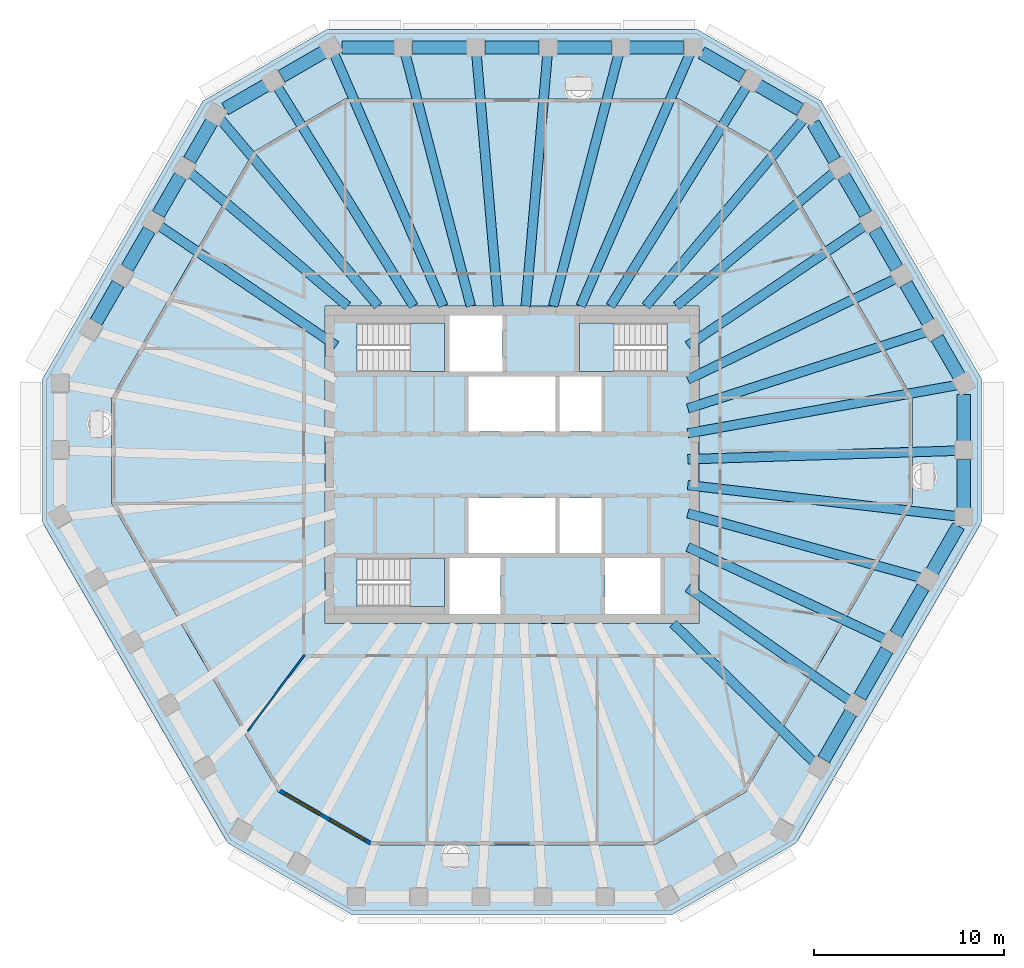
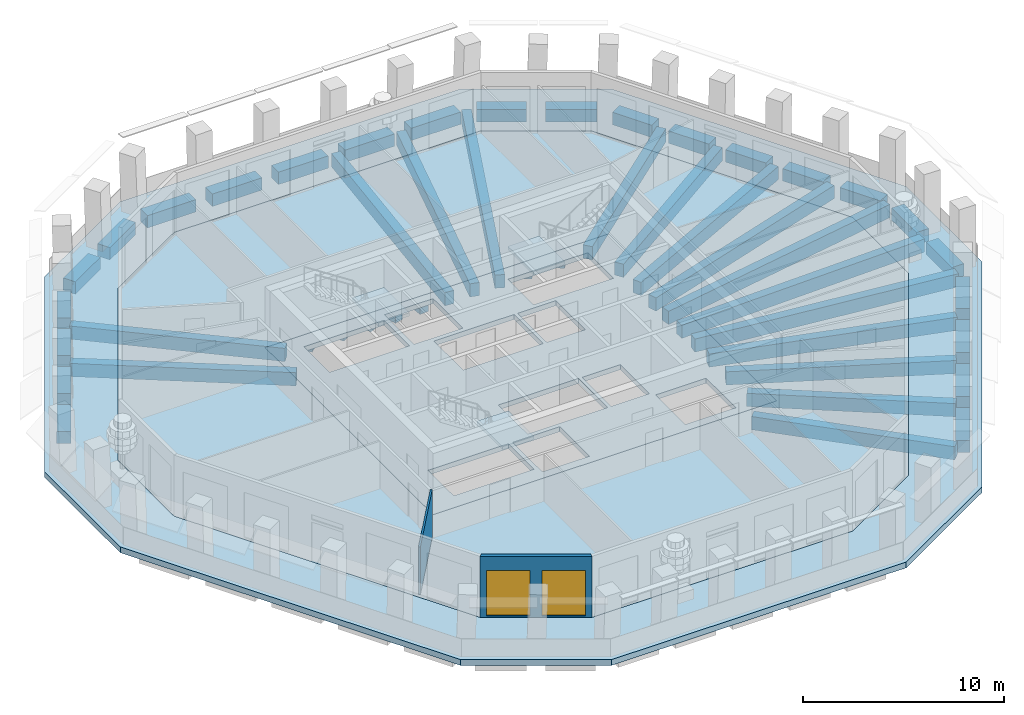
# One storey, part 2 of 11: 47 beams, 6 slabs, 2 walls, 2 windows, 2 openings, 3 elements without a shape of their own.
"""IFC4 building model written with IfcOpenShell, lengths in metres."""

from ifc_helpers import new_model, si_unit, direction, frame, frame_2d, origin, origin_2d, place, context, subcontext, project, spatial, polyline, rectangle, outline, extrude, material, layer, layer_set, material_profile, profile_set, type_object, element, fill, aggregate, save


model = new_model("IFC4")

# Units and contexts
model_context = context("Model", 3, precision=1e-05, world=origin(), true_north=direction((0.0, 1.0)))
body_context = subcontext(model_context, "Body", "Model", "MODEL_VIEW")
ifc_project = project(units=[si_unit("LENGTHUNIT", "METRE"), si_unit("AREAUNIT", "SQUARE_METRE"), si_unit("VOLUMEUNIT", "CUBIC_METRE"), si_unit("PLANEANGLEUNIT", "RADIAN"), si_unit("MASSUNIT", "GRAM", prefix="KILO")], contexts=[model_context])

# Site, building, storey
site_placement = place(None, origin())
site = spatial("IfcSite", under=ifc_project, at=site_placement, CompositionType="ELEMENT")
building_placement = place(site_placement, origin())
building = spatial("IfcBuilding", under=site, at=building_placement, Name="Frailejon Research Tower", CompositionType="ELEMENT")
storey_placement = place(building_placement, frame((0.0, 0.0, 287.0)))
storey = spatial("IfcBuildingStorey", under=building, at=storey_placement, Name="L63", CompositionType="ELEMENT", Elevation=287.0)

# Beams
ifc_material_1 = material(Name="Concrete C60/75", Category="concrete")
ifc_material_profile_1 = material_profile(ifc_material_1, rectangle(XDim=0.5, YDim=0.800048828125, at=origin_2d()), Name="Girder 500x800")
ifc_profile_set_1 = profile_set([ifc_material_profile_1], Name="Concrete C60/75")
beam_type_1 = type_object("IfcBeamType", Name="Girder 500x800", PredefinedType="BEAM", material=ifc_profile_set_1)
beam_1_placement = place(storey_placement, frame((23.433349609375, -2.7099609375, -0.699951171875), z_axis=(-0.993378271612, 0.114889553438, 0.0), x_axis=(-0.114889553438, -0.993378271612, 0.0)))
element("IfcBeam", 1, at=beam_1_placement, inside=storey, type_object=beam_type_1, Name="Girder 500x800", PredefinedType="BEAM", context=body_context, shape_type="SweptSolid", body=[
    extrude(rectangle(XDim=0.5, YDim=0.800048828125, at=origin_2d()), origin(), (0.0, 0.0, 1.0), 14.27783203125),
])
beam_2_placement = place(storey_placement, frame((23.43408203125, 0.743896484375, -0.699951171875), z_axis=(-0.99949668312, -0.031723499667, 0.0), x_axis=(0.031723499667, -0.99949668312, 0.0)))
element("IfcBeam", 2, at=beam_2_placement, inside=storey, type_object=beam_type_1, Name="Girder 500x800", PredefinedType="BEAM", context=body_context, shape_type="SweptSolid", body=[
    extrude(rectangle(XDim=0.5, YDim=0.800048828125, at=origin_2d()), origin(), (0.0, 0.0, 1.0), 14.191162109375),
])
beam_3_placement = place(storey_placement, frame((23.409912109375, 4.193603515625, -0.699951171875), z_axis=(-0.984330400574, -0.176333951654, 0.0), x_axis=(0.176333951654, -0.984330400574, 0.0)))
element("IfcBeam", 3, at=beam_3_placement, inside=storey, type_object=beam_type_1, Name="Girder 500x800", PredefinedType="BEAM", context=body_context, shape_type="SweptSolid", body=[
    extrude(rectangle(XDim=0.5, YDim=0.800048828125, at=origin_2d()), origin(), (0.0, 0.0, 1.0), 14.38525390625),
])
beam_4_placement = place(storey_placement, frame((21.800537109375, 6.991943359375, -0.699951171875), z_axis=(-0.952226293562, -0.30539332974, 0.0), x_axis=(0.30539332974, -0.952226293562, 0.0)))
element("IfcBeam", 4, at=beam_4_placement, inside=storey, type_object=beam_type_1, Name="Girder 500x800", PredefinedType="BEAM", context=body_context, shape_type="SweptSolid", body=[
    extrude(rectangle(XDim=0.5, YDim=0.800048828125, at=origin_2d()), origin(), (0.0, 0.0, 1.0), 13.18017578125),
])
beam_5_placement = place(storey_placement, frame((20.188232421875, 9.79052734375, -0.699951171875), z_axis=(-0.899772055944, -0.436360226582, 0.0), x_axis=(0.436360226582, -0.899772055944, 0.0)))
element("IfcBeam", 5, at=beam_5_placement, inside=storey, type_object=beam_type_1, Name="Girder 500x800", PredefinedType="BEAM", context=body_context, shape_type="SweptSolid", body=[
    extrude(rectangle(XDim=0.5, YDim=0.800048828125, at=origin_2d()), origin(), (0.0, 0.0, 1.0), 12.15673828125),
])
beam_6_placement = place(storey_placement, frame((18.572998046875, 12.58837890625, -0.699951171875), z_axis=(-0.827773851641, -0.561061895462, 0.0), x_axis=(0.561061895462, -0.827773851641, 0.0)))
element("IfcBeam", 6, at=beam_6_placement, inside=storey, type_object=beam_type_1, Name="Girder 500x800", PredefinedType="BEAM", context=body_context, shape_type="SweptSolid", body=[
    extrude(rectangle(XDim=0.5, YDim=0.800048828125, at=origin_2d()), origin(), (0.0, 0.0, 1.0), 11.2626953125),
])
beam_7_placement = place(storey_placement, frame((16.95068359375, 15.394287109375, -0.699951171875), z_axis=(-0.762459182098, -0.647036317091, 0.0), x_axis=(0.647036317091, -0.762459182098, 0.0)))
element("IfcBeam", 7, at=beam_7_placement, inside=storey, type_object=beam_type_1, Name="Girder 500x800", PredefinedType="BEAM", context=body_context, shape_type="SweptSolid", body=[
    extrude(rectangle(XDim=0.5, YDim=0.800048828125, at=origin_2d()), origin(), (0.0, 0.0, 1.0), 10.886962890625),
])
beam_8_placement = place(storey_placement, frame((15.35107421875, 18.19384765625, -0.699951171875), z_axis=(-0.64487093921, -0.764291483508, 0.0), x_axis=(0.764291483508, -0.64487093921, 0.0)))
element("IfcBeam", 8, at=beam_8_placement, inside=storey, type_object=beam_type_1, Name="Girder 500x800", PredefinedType="BEAM", context=body_context, shape_type="SweptSolid", body=[
    extrude(rectangle(XDim=0.5, YDim=0.800048828125, at=origin_2d()), origin(), (0.0, 0.0, 1.0), 12.879638671875),
])
beam_9_placement = place(storey_placement, frame((12.361328125, 19.922607421875, -0.699951171875), z_axis=(-0.527229431534, -0.849722970458, 0.0), x_axis=(0.849722970458, -0.527229431534, 0.0)))
element("IfcBeam", 9, at=beam_9_placement, inside=storey, type_object=beam_type_1, Name="Girder 500x800", PredefinedType="BEAM", context=body_context, shape_type="SweptSolid", body=[
    extrude(rectangle(XDim=0.5, YDim=0.800048828125, at=origin_2d()), origin(), (0.0, 0.0, 1.0), 13.619140625),
])
beam_10_placement = place(storey_placement, frame((9.35400390625, 21.61279296875, -0.699951171875), z_axis=(-0.397189240176, -0.917736731034, 0.0), x_axis=(0.917736731034, -0.397189240176, 0.0)))
element("IfcBeam", 10, at=beam_10_placement, inside=storey, type_object=beam_type_1, Name="Girder 500x800", PredefinedType="BEAM", context=body_context, shape_type="SweptSolid", body=[
    extrude(rectangle(XDim=0.5, YDim=0.800048828125, at=origin_2d()), origin(), (0.0, 0.0, 1.0), 14.451416015625),
])
beam_11_placement = place(storey_placement, frame((5.614501953125, 21.6201171875, -0.699951171875), z_axis=(-0.251366300623, -0.967892030606, 0.0), x_axis=(0.967892030606, -0.251366300623, 0.0)))
element("IfcBeam", 11, at=beam_11_placement, inside=storey, type_object=beam_type_1, Name="Girder 500x800", PredefinedType="BEAM", context=body_context, shape_type="SweptSolid", body=[
    extrude(rectangle(XDim=0.5, YDim=0.800048828125, at=origin_2d()), origin(), (0.0, 0.0, 1.0), 13.710205078125),
])
for number, where, z_axis, x_axis, name in (
    (12, (1.871826171875, 21.62451171875, -0.699951171875), (-0.086229521681, -0.996275298093, 0.0), (0.996275298093, -0.086229521681, 0.0), "Girder 500x800"),
    (13, (-1.871826171875, 21.62451171875, -0.699951171875), (0.086229521681, -0.996275298093, 0.0), (0.996275298093, 0.086229521681, 0.0), "Girder 500x800"),
):
    element("IfcBeam", number, at=place(storey_placement, frame(where, z_axis=z_axis, x_axis=x_axis)), inside=storey, type_object=beam_type_1, Name=name, PredefinedType="BEAM", context=body_context, shape_type="SweptSolid", body=[
        extrude(rectangle(XDim=0.5, YDim=0.800048828125, at=origin_2d()), origin(), (0.0, 0.0, 1.0), 13.323974609375),
    ])
beam_12_placement = place(storey_placement, frame((-5.614501953125, 21.6201171875, -0.699951171875), z_axis=(0.251366300623, -0.967892030606, 0.0), x_axis=(0.967892030606, 0.251366300623, 0.0)))
element("IfcBeam", 14, at=beam_12_placement, inside=storey, type_object=beam_type_1, Name="Girder 500x800", PredefinedType="BEAM", context=body_context, shape_type="SweptSolid", body=[
    extrude(rectangle(XDim=0.5, YDim=0.800048828125, at=origin_2d()), origin(), (0.0, 0.0, 1.0), 13.710205078125),
])
beam_13_placement = place(storey_placement, frame((-9.36962890625, 21.648681640625, -0.699951171875), z_axis=(0.397194626137, -0.917734400013, 0.0), x_axis=(0.917734400013, 0.397194626137, 0.0)))
element("IfcBeam", 15, at=beam_13_placement, inside=storey, type_object=beam_type_1, Name="Girder 500x800", PredefinedType="BEAM", context=body_context, shape_type="SweptSolid", body=[
    extrude(rectangle(XDim=0.5, YDim=0.800048828125, at=origin_2d()), origin(), (0.0, 0.0, 1.0), 14.49072265625),
])
beam_14_placement = place(storey_placement, frame((-12.361328125, 19.922607421875, -0.699951171875), z_axis=(0.527229431534, -0.849722970458, 0.0), x_axis=(0.849722970458, 0.527229431534, 0.0)))
element("IfcBeam", 16, at=beam_14_placement, inside=storey, type_object=beam_type_1, Name="Girder 500x800", PredefinedType="BEAM", context=body_context, shape_type="SweptSolid", body=[
    extrude(rectangle(XDim=0.5, YDim=0.800048828125, at=origin_2d()), origin(), (0.0, 0.0, 1.0), 13.619140625),
])
beam_15_placement = place(storey_placement, frame((-15.336669921875, 18.1767578125, -0.699951171875), z_axis=(0.644871632461, -0.764290898577, 0.0), x_axis=(0.764290898577, 0.644871632461, 0.0)))
element("IfcBeam", 17, at=beam_15_placement, inside=storey, type_object=beam_type_1, Name="Girder 500x800", PredefinedType="BEAM", context=body_context, shape_type="SweptSolid", body=[
    extrude(rectangle(XDim=0.5, YDim=0.800048828125, at=origin_2d()), origin(), (0.0, 0.0, 1.0), 12.857177734375),
])
beam_16_placement = place(storey_placement, frame((-16.95068359375, 15.394287109375, -0.699951171875), z_axis=(0.762459182098, -0.647036317091, 0.0), x_axis=(0.647036317091, 0.762459182098, 0.0)))
element("IfcBeam", 18, at=beam_16_placement, inside=storey, type_object=beam_type_1, Name="Girder 500x800", PredefinedType="BEAM", context=body_context, shape_type="SweptSolid", body=[
    extrude(rectangle(XDim=0.5, YDim=0.800048828125, at=origin_2d()), origin(), (0.0, 0.0, 1.0), 10.886962890625),
])
beam_17_placement = place(storey_placement, frame((-18.572998046875, 12.58837890625, -0.699951171875), z_axis=(0.827773851641, -0.561061895462, 0.0), x_axis=(0.561061895462, 0.827773851641, 0.0)))
element("IfcBeam", 19, at=beam_17_placement, inside=storey, type_object=beam_type_1, Name="Girder 500x800", PredefinedType="BEAM", context=body_context, shape_type="SweptSolid", body=[
    extrude(rectangle(XDim=0.5, YDim=0.800048828125, at=origin_2d()), origin(), (0.0, 0.0, 1.0), 11.2626953125),
])
beam_18_placement = place(storey_placement, frame((15.91650390625, -15.67236328125, -0.699951171875), z_axis=(-0.71255962234, 0.701611562483, 0.0), x_axis=(-0.701611562483, -0.71255962234, 0.0)))
element("IfcBeam", 20, at=beam_18_placement, inside=storey, type_object=beam_type_1, Name="Girder 500x800", PredefinedType="BEAM", context=body_context, shape_type="SweptSolid", body=[
    extrude(rectangle(XDim=0.5, YDim=0.800048828125, at=origin_2d()), origin(), (0.0, 0.0, 1.0), 10.436279296875),
])
beam_19_placement = place(storey_placement, frame((17.79150390625, -12.433349609375, -0.699951171875), z_axis=(-0.819674147619, 0.572830072294, 0.0), x_axis=(-0.572830072294, -0.819674147619, 0.0)))
element("IfcBeam", 21, at=beam_19_placement, inside=storey, type_object=beam_type_1, Name="Girder 500x800", PredefinedType="BEAM", context=body_context, shape_type="SweptSolid", body=[
    extrude(rectangle(XDim=0.5, YDim=0.800048828125, at=origin_2d()), origin(), (0.0, 0.0, 1.0), 10.420654296875),
])
beam_20_placement = place(storey_placement, frame((19.663330078125, -9.191162109375, -0.699951171875), z_axis=(-0.905920341941, 0.423448148015, 0.0), x_axis=(-0.423448148015, -0.905920341941, 0.0)))
element("IfcBeam", 22, at=beam_20_placement, inside=storey, type_object=beam_type_1, Name="Girder 500x800", PredefinedType="BEAM", context=body_context, shape_type="SweptSolid", body=[
    extrude(rectangle(XDim=0.5, YDim=0.800048828125, at=origin_2d()), origin(), (0.0, 0.0, 1.0), 11.494873046875),
])
beam_21_placement = place(storey_placement, frame((21.53076171875, -5.947998046875, -0.699951171875), z_axis=(-0.963896341877, 0.266277753702, 0.0), x_axis=(-0.266277753702, -0.963896341877, 0.0)))
element("IfcBeam", 23, at=beam_21_placement, inside=storey, type_object=beam_type_1, Name="Girder 500x800", PredefinedType="BEAM", context=body_context, shape_type="SweptSolid", body=[
    extrude(rectangle(XDim=0.5, YDim=0.800048828125, at=origin_2d()), origin(), (0.0, 0.0, 1.0), 12.74072265625),
])
ifc_material_2 = material(Name="Concrete C60/75", Category="concrete")
ifc_material_profile_2 = material_profile(ifc_material_2, rectangle(XDim=0.699951171875, YDim=0.75, at=origin_2d()), Name="Spandrel 700x750")
ifc_profile_set_2 = profile_set([ifc_material_profile_2], Name="Concrete C60/75")
beam_type_2 = type_object("IfcBeamType", Name="Spandrel 700x750", PredefinedType="BEAM", material=ifc_profile_set_2)
beam_22_placement = place(storey_placement, frame((23.75927734375, -2.272705078125, -0.72509765625), z_axis=(0.0, 1.0, 0.0), x_axis=(-1.0, 0.0, 0.0)))
element("IfcBeam", 24, at=beam_22_placement, inside=storey, type_object=beam_type_2, Name="Spandrel 700x750", PredefinedType="BEAM", context=body_context, shape_type="SweptSolid", body=[
    extrude(rectangle(XDim=0.699951171875, YDim=0.75, at=origin_2d()), origin(), (0.0, 0.0, 1.0), 2.552001953125),
])
beam_23_placement = place(storey_placement, frame((23.75927734375, 1.229248046875, -0.72509765625), z_axis=(0.0, 1.0, 0.0), x_axis=(-1.0, 0.0, 0.0)))
element("IfcBeam", 25, at=beam_23_placement, inside=storey, type_object=beam_type_2, Name="Spandrel 700x750", PredefinedType="BEAM", context=body_context, shape_type="SweptSolid", body=[
    extrude(rectangle(XDim=0.699951171875, YDim=0.75, at=origin_2d()), origin(), (0.0, 0.0, 1.0), 2.478515625),
])
for number, where, z_axis, x_axis, name in (
    (26, (23.521728515625, 4.66748046875, -0.72509765625), (-0.500031167255, 0.866007408613, 0.0), (-0.866007408613, -0.500031167255, 0.0), "Spandrel 700x750"),
    (27, (21.883056640625, 7.506103515625, -0.72509765625), (-0.500076593149, 0.865981178193, 0.0), (-0.865981178193, -0.500076593149, 0.0), "Spandrel 700x750"),
    (28, (20.244384765625, 10.34423828125, -0.72509765625), (-0.500031167255, 0.866007408613, 0.0), (-0.866007408613, -0.500031167255, 0.0), "Spandrel 700x750"),
    (29, (18.605712890625, 13.1826171875, -0.72509765625), (-0.500031167255, 0.866007408613, 0.0), (-0.866007408613, -0.500031167255, 0.0), "Spandrel 700x750"),
):
    element("IfcBeam", number, at=place(storey_placement, frame(where, z_axis=z_axis, x_axis=x_axis)), inside=storey, type_object=beam_type_2, Name=name, PredefinedType="BEAM", context=body_context, shape_type="SweptSolid", body=[
        extrude(rectangle(XDim=0.699951171875, YDim=0.75, at=origin_2d()), origin(), (0.0, 0.0, 1.0), 2.327392578125),
    ])
beam_24_placement = place(storey_placement, frame((16.966796875, 16.02099609375, -0.72509765625), z_axis=(-0.500006872736, 0.866021435772, 0.0), x_axis=(-0.866021435772, -0.500006872736, 0.0)))
element("IfcBeam", 30, at=beam_24_placement, inside=storey, type_object=beam_type_2, Name="Spandrel 700x750", PredefinedType="BEAM", context=body_context, shape_type="SweptSolid", body=[
    extrude(rectangle(XDim=0.699951171875, YDim=0.75, at=origin_2d()), origin(), (0.0, 0.0, 1.0), 2.25390625),
])
beam_25_placement = place(storey_placement, frame((15.154296875, 18.685546875, -0.72509765625), z_axis=(-0.86605655258, 0.499946044823, 0.0), x_axis=(-0.499946044823, -0.86605655258, 0.0)))
element("IfcBeam", 31, at=beam_25_placement, inside=storey, type_object=beam_type_2, Name="Spandrel 700x750", PredefinedType="BEAM", context=body_context, shape_type="SweptSolid", body=[
    extrude(rectangle(XDim=0.699951171875, YDim=0.75, at=origin_2d()), origin(), (0.0, 0.0, 1.0), 2.552001953125),
])
beam_26_placement = place(storey_placement, frame((12.121337890625, 20.4365234375, -0.72509765625), z_axis=(-0.866003486907, 0.500037959224, 0.0), x_axis=(-0.500037959224, -0.866003486907, 0.0)))
element("IfcBeam", 32, at=beam_26_placement, inside=storey, type_object=beam_type_2, Name="Spandrel 700x750", PredefinedType="BEAM", context=body_context, shape_type="SweptSolid", body=[
    extrude(rectangle(XDim=0.699951171875, YDim=0.75, at=origin_2d()), origin(), (0.0, 0.0, 1.0), 2.478271484375),
])
beam_27_placement = place(storey_placement, frame((9.02490234375, 21.949951171875, -0.72509765625), z_axis=(-1.0, 0.0, 0.0), x_axis=(0.0, -1.0, 0.0)))
element("IfcBeam", 33, at=beam_27_placement, inside=storey, type_object=beam_type_2, Name="Spandrel 700x750", PredefinedType="BEAM", context=body_context, shape_type="SweptSolid", body=[
    extrude(rectangle(XDim=0.699951171875, YDim=0.75, at=origin_2d()), origin(), (0.0, 0.0, 1.0), 2.849853515625),
])
for number, where, z_axis, x_axis, name in (
    (34, (5.22509765625, 21.949951171875, -0.72509765625), (-1.0, 0.0, 0.0), (0.0, -1.0, 0.0), "Spandrel 700x750"),
    (35, (1.425048828125, 21.949951171875, -0.72509765625), (-1.0, 0.0, 0.0), (0.0, -1.0, 0.0), "Spandrel 700x750"),
    (36, (-2.375, 21.949951171875, -0.72509765625), (-1.0, 0.0, 0.0), (0.0, -1.0, 0.0), "Spandrel 700x750"),
):
    element("IfcBeam", number, at=place(storey_placement, frame(where, z_axis=z_axis, x_axis=x_axis)), inside=storey, type_object=beam_type_2, Name=name, PredefinedType="BEAM", context=body_context, shape_type="SweptSolid", body=[
        extrude(rectangle(XDim=0.699951171875, YDim=0.75, at=origin_2d()), origin(), (0.0, 0.0, 1.0), 2.85009765625),
    ])
beam_28_placement = place(storey_placement, frame((-6.175048828125, 21.949951171875, -0.72509765625), z_axis=(-1.0, 0.0, 0.0), x_axis=(0.0, -1.0, 0.0)))
element("IfcBeam", 37, at=beam_28_placement, inside=storey, type_object=beam_type_2, Name="Spandrel 700x750", PredefinedType="BEAM", context=body_context, shape_type="SweptSolid", body=[
    extrude(rectangle(XDim=0.699951171875, YDim=0.75, at=origin_2d()), origin(), (0.0, 0.0, 1.0), 2.7763671875),
])
beam_29_placement = place(storey_placement, frame((-9.911376953125, 21.71240234375, -0.72509765625), z_axis=(-0.866032638483, -0.499987468925, 0.0), x_axis=(0.499987468925, -0.866032638483, 0.0)))
element("IfcBeam", 38, at=beam_29_placement, inside=storey, type_object=beam_type_2, Name="Spandrel 700x750", PredefinedType="BEAM", context=body_context, shape_type="SweptSolid", body=[
    extrude(rectangle(XDim=0.699951171875, YDim=0.75, at=origin_2d()), origin(), (0.0, 0.0, 1.0), 2.5517578125),
])
beam_30_placement = place(storey_placement, frame((-12.944091796875, 19.96142578125, -0.72509765625), z_axis=(-0.866028115054, -0.499995303914, 0.0), x_axis=(0.499995303914, -0.866028115054, 0.0)))
element("IfcBeam", 39, at=beam_30_placement, inside=storey, type_object=beam_type_2, Name="Spandrel 700x750", PredefinedType="BEAM", context=body_context, shape_type="SweptSolid", body=[
    extrude(rectangle(XDim=0.699951171875, YDim=0.75, at=origin_2d()), origin(), (0.0, 0.0, 1.0), 2.478515625),
])
for number, where, z_axis, x_axis, name in (
    (40, (-15.802978515625, 18.03662109375, -0.72509765625), (-0.500031167255, -0.866007408613, 0.0), (0.866007408613, -0.500031167255, 0.0), "Spandrel 700x750"),
    (41, (-17.44189453125, 15.1982421875, -0.72509765625), (-0.500031167255, -0.866007408613, 0.0), (0.866007408613, -0.500031167255, 0.0), "Spandrel 700x750"),
    (42, (-19.08056640625, 12.35986328125, -0.72509765625), (-0.500031167255, -0.866007408613, 0.0), (0.866007408613, -0.500031167255, 0.0), "Spandrel 700x750"),
    (43, (-20.71923828125, 9.521484375, -0.72509765625), (-0.500076593149, -0.865981178193, 0.0), (0.865981178193, -0.500076593149, 0.0), "Spandrel 700x750"),
):
    element("IfcBeam", number, at=place(storey_placement, frame(where, z_axis=z_axis, x_axis=x_axis)), inside=storey, type_object=beam_type_2, Name=name, PredefinedType="BEAM", context=body_context, shape_type="SweptSolid", body=[
        extrude(rectangle(XDim=0.699951171875, YDim=0.75, at=origin_2d()), origin(), (0.0, 0.0, 1.0), 2.327392578125),
    ])
for number, where, z_axis, x_axis, name in (
    (44, (16.396728515625, -15.5, -0.72509765625), (0.500036373335, 0.866004402611, 0.0), (-0.866004402611, 0.500036373335, 0.0), "Spandrel 700x750"),
    (45, (18.296875, -12.208984375, -0.72509765625), (0.499972122318, 0.866041498374, 0.0), (-0.866041498374, 0.499972122318, 0.0), "Spandrel 700x750"),
):
    element("IfcBeam", number, at=place(storey_placement, frame(where, z_axis=z_axis, x_axis=x_axis)), inside=storey, type_object=beam_type_2, Name=name, PredefinedType="BEAM", context=body_context, shape_type="SweptSolid", body=[
        extrude(rectangle(XDim=0.699951171875, YDim=0.75, at=origin_2d()), origin(), (0.0, 0.0, 1.0), 2.849853515625),
    ])
beam_31_placement = place(storey_placement, frame((20.19677734375, -8.918212890625, -0.72509765625), z_axis=(0.499999279071, 0.866025820012, 0.0), x_axis=(-0.866025820012, 0.499999279071, 0.0)))
element("IfcBeam", 46, at=beam_31_placement, inside=storey, type_object=beam_type_2, Name="Spandrel 700x750", PredefinedType="BEAM", context=body_context, shape_type="SweptSolid", body=[
    extrude(rectangle(XDim=0.699951171875, YDim=0.75, at=origin_2d()), origin(), (0.0, 0.0, 1.0), 2.85009765625),
])
beam_32_placement = place(storey_placement, frame((22.0966796875, -5.627197265625, -0.72509765625), z_axis=(0.500044657716, 0.865999619105, 0.0), x_axis=(-0.865999619105, 0.500044657716, 0.0)))
element("IfcBeam", 47, at=beam_32_placement, inside=storey, type_object=beam_type_2, Name="Spandrel 700x750", PredefinedType="BEAM", context=body_context, shape_type="SweptSolid", body=[
    extrude(rectangle(XDim=0.699951171875, YDim=0.75, at=origin_2d()), origin(), (0.0, 0.0, 1.0), 2.776611328125),
])

# Slabs
ifc_material_3 = material(Name="Concrete C50/60", Category="concrete")
ifc_layer_1 = layer(ifc_material_3, 0.300048828125)
ifc_layer_set_1 = layer_set([ifc_layer_1], Name="Core floor slab 300 C50/60")
slab_type_1 = type_object("IfcSlabType", Name="Core floor slab 300 C50/60", PredefinedType="FLOOR", material=ifc_layer_set_1)
slab_1_placement = place(storey_placement, frame((0.0, 0.0, -0.300048828125)))
element("IfcSlab", 48, at=slab_1_placement, inside=storey, type_object=slab_type_1, Name="Core floor slab", PredefinedType="FLOOR", context=body_context, shape_type="SweptSolid", body=[
    extrude(outline(polyline([(9.85009765625, -8.35009765625), (9.85009765625, 8.35009765625), (-9.85009765625, 8.35009765625), (-9.85009765625, -8.35009765625), (9.85009765625, -8.35009765625)]), holes=[polyline([(2.300048828125, 1.75), (2.300048828125, 4.64990234375), (-2.300048828125, 4.64990234375), (-2.300048828125, 1.75), (2.300048828125, 1.75)]), polyline([(4.699951171875, 1.75), (4.699951171875, 4.64990234375), (2.5, 4.64990234375), (2.5, 1.75), (4.699951171875, 1.75)]), polyline([(2.300048828125, -4.64990234375), (2.300048828125, -1.75), (-2.300048828125, -1.75), (-2.300048828125, -4.64990234375), (2.300048828125, -4.64990234375)]), polyline([(4.699951171875, -4.64990234375), (4.699951171875, -1.75), (2.5, -1.75), (2.5, -4.64990234375), (4.699951171875, -4.64990234375)]), polyline([(-8.14697265625, 4.89990234375), (-3.550048828125, 4.89990234375), (-3.550048828125, 7.449951171875), (-8.14697265625, 7.449951171875), (-8.14697265625, 4.89990234375)]), polyline([(-8.14697265625, -7.449951171875), (-3.550048828125, -7.449951171875), (-3.550048828125, -4.89990234375), (-8.14697265625, -4.89990234375), (-8.14697265625, -7.449951171875)]), polyline([(8.14697265625, 7.449951171875), (3.550048828125, 7.449951171875), (3.550048828125, 4.89990234375), (8.14697265625, 4.89990234375), (8.14697265625, 7.449951171875)]), polyline([(-0.60009765625, -7.85009765625), (-0.60009765625, -4.89990234375), (-3.300048828125, -4.89990234375), (-3.300048828125, -7.85009765625), (-0.60009765625, -7.85009765625)]), polyline([(7.800048828125, -7.85009765625), (7.800048828125, -4.89990234375), (4.89990234375, -4.89990234375), (4.89990234375, -7.85009765625), (7.800048828125, -7.85009765625)]), polyline([(-0.5, 4.89990234375), (-0.5, 7.85009765625), (-3.300048828125, 7.85009765625), (-3.300048828125, 4.89990234375), (-0.5, 4.89990234375)])]), origin(), (0.0, 0.0, 1.0), 0.300048828125),
])
ifc_material_4 = material(Name="Concrete C40/50", Category="concrete")
ifc_layer_2 = layer(ifc_material_4, 0.35009765625)
ifc_layer_set_2 = layer_set([ifc_layer_2], Name="Loggia slab 350")
slab_type_2 = type_object("IfcSlabType", Name="Loggia slab 350", PredefinedType="USERDEFINED", material=ifc_layer_set_2)
slab_2_placement = place(storey_placement, frame((0.0, 0.0, -0.35009765625)))
element("IfcSlab", 49, at=slab_2_placement, inside=storey, type_object=slab_type_2, Name="Loggia slab L63", ObjectType="LOGGIA", PredefinedType="USERDEFINED", context=body_context, shape_type="SweptSolid", body=[
    extrude(outline(polyline([(14.95458984375, -19.897705078125), (8.4482421875, -23.654296875), (-8.4482421875, -23.654296875), (-14.95458984375, -19.897705078125), (-24.709228515625, -3.002197265625), (-24.709228515625, 4.5107421875), (-16.260986328125, 19.1435546875), (-9.754638671875, 22.89990234375), (9.754638671875, 22.89990234375), (16.260986328125, 19.1435546875), (24.709228515625, 4.5107421875), (24.709228515625, -3.002197265625), (14.95458984375, -19.897705078125)]), holes=[polyline([(21.059326171875, 3.53271484375), (13.589111328125, 16.471435546875), (8.776611328125, 19.25), (-8.776611328125, 19.25), (-13.589111328125, 16.471435546875), (-21.059326171875, 3.53271484375), (-21.059326171875, -2.0244140625), (-12.28271484375, -17.2255859375), (-7.47021484375, -20.004150390625), (7.47021484375, -20.004150390625), (12.28271484375, -17.2255859375), (21.059326171875, -2.0244140625), (21.059326171875, 3.53271484375)])]), origin(), (0.0, 0.0, 1.0), 0.35009765625),
])
ifc_material_5 = material(Name="Concrete C40/50", Category="concrete")
ifc_layer_3 = layer(ifc_material_5, 0.300048828125)
ifc_layer_set_3 = layer_set([ifc_layer_3], Name="Slab typical 300")
slab_type_3 = type_object("IfcSlabType", Name="Slab typical 300", PredefinedType="FLOOR", material=ifc_layer_set_3)
slab_3_placement = place(storey_placement, frame((0.0, 0.0, -0.300048828125)))
element("IfcSlab", 50, at=slab_3_placement, inside=storey, type_object=slab_type_3, Name="Floor slab L63", PredefinedType="FLOOR", context=body_context, shape_type="SweptSolid", body=[
    extrude(outline(polyline([(21.059326171875, -2.0244140625), (21.059326171875, 3.53271484375), (13.589111328125, 16.471435546875), (8.776611328125, 19.25), (-8.776611328125, 19.25), (-13.589111328125, 16.471435546875), (-21.059326171875, 3.53271484375), (-21.059326171875, -2.0244140625), (-12.28271484375, -17.2255859375), (-7.47021484375, -20.004150390625), (7.47021484375, -20.004150390625), (12.28271484375, -17.2255859375), (21.059326171875, -2.0244140625)]), holes=[polyline([(9.25, 8.35009765625), (9.85009765625, 8.35009765625), (9.85009765625, -8.35009765625), (9.25, -8.35009765625), (-9.25, -8.35009765625), (-9.85009765625, -8.35009765625), (-9.85009765625, 8.35009765625), (-9.25, 8.35009765625), (9.25, 8.35009765625)])]), origin(), (0.0, 0.0, 1.0), 0.300048828125),
])

# Stair, slab
ifc_material_6 = material(Name="Concrete C50/60", Category="concrete")
stair_type = type_object("IfcStairType", Name="Exit stair 22 risers", PredefinedType="HALF_TURN_STAIR", material=ifc_material_6)
stair_1_placement = place(storey_placement, origin())
stair_1 = element("IfcStair", 51, at=stair_1_placement, inside=storey, type_object=stair_type, Name="L63 Exit stair ST1", PredefinedType="HALF_TURN_STAIR")
ifc_material_7 = material(Name="Concrete C50/60", Category="concrete")
ifc_layer_4 = layer(ifc_material_7, 0.199951171875)
ifc_layer_set_4 = layer_set([ifc_layer_4], Name="Stair landing slab 200")
slab_type_4 = type_object("IfcSlabType", Name="Stair landing slab 200", PredefinedType="LANDING", material=ifc_layer_set_4)
slab_4_placement = place(storey_placement, frame((0.0, 0.0, 1.800048828125)))
slab_4 = element("IfcSlab", 52, at=slab_4_placement, type_object=slab_type_4, Name="ST1 landing 1", PredefinedType="LANDING", context=body_context, shape_type="SweptSolid", body=[
    extrude(outline(polyline([(-5.35009765625, 4.89990234375), (-3.550048828125, 4.89990234375), (-3.550048828125, 7.449951171875), (-5.35009765625, 7.449951171875), (-5.35009765625, 4.89990234375)])), origin(), (0.0, 0.0, 1.0), 0.199951171875),
])
aggregate(stair_1, [slab_4])

stair_2_placement = place(storey_placement, origin())
stair_2 = element("IfcStair", 53, at=stair_2_placement, inside=storey, type_object=stair_type, Name="L63 Exit stair ST2", PredefinedType="HALF_TURN_STAIR")
slab_5_placement = place(storey_placement, frame((0.0, 0.0, 1.800048828125)))
slab_5 = element("IfcSlab", 54, at=slab_5_placement, type_object=slab_type_4, Name="ST2 landing 1", PredefinedType="LANDING", context=body_context, shape_type="SweptSolid", body=[
    extrude(outline(polyline([(-5.35009765625, -7.449951171875), (-3.550048828125, -7.449951171875), (-3.550048828125, -4.89990234375), (-5.35009765625, -4.89990234375), (-5.35009765625, -7.449951171875)])), origin(), (0.0, 0.0, 1.0), 0.199951171875),
])
aggregate(stair_2, [slab_5])

stair_3_placement = place(storey_placement, origin())
stair_3 = element("IfcStair", 55, at=stair_3_placement, inside=storey, type_object=stair_type, Name="L63 Exit stair ST3", PredefinedType="HALF_TURN_STAIR")
slab_6_placement = place(storey_placement, frame((0.0, 0.0, 1.800048828125)))
slab_6 = element("IfcSlab", 56, at=slab_6_placement, type_object=slab_type_4, Name="ST3 landing 1", PredefinedType="LANDING", context=body_context, shape_type="SweptSolid", body=[
    extrude(outline(polyline([(5.35009765625, 7.449951171875), (3.550048828125, 7.449951171875), (3.550048828125, 4.89990234375), (5.35009765625, 4.89990234375), (5.35009765625, 7.449951171875)])), origin(), (0.0, 0.0, 1.0), 0.199951171875),
])
aggregate(stair_3, [slab_6])

# Wall
ifc_material_8 = material(Name="Gypsum board and masonry partition", Category="masonry")
ifc_layer_5 = layer(ifc_material_8, 0.10009765625)
ifc_layer_set_5 = layer_set([ifc_layer_5], Name="Partition, gypsum on steel studs 100")
wall_type_1 = type_object("IfcWallType", Name="Partition, gypsum on steel studs 100", PredefinedType="PARTITIONING", material=ifc_layer_set_5)
wall_1_placement = place(storey_placement, frame((-13.90771484375, -14.010986328125, 0.0), z_axis=(0.0, 0.0, 1.0), x_axis=(0.59833296064, 0.801247569863, 0.0)))
element("IfcWall", 57, at=wall_1_placement, inside=storey, type_object=wall_type_1, Name="T:IW:L63:024", PredefinedType="PARTITIONING", context=body_context, shape_type="SweptSolid", body=[
    extrude(rectangle(XDim=5.018310546875, YDim=0.10009765625, at=frame_2d((2.50927734375, 0.0))), origin(), (0.0, 0.0, 1.0), 2.89990234375),
])

# Wall, openings, windows
ifc_material_9 = material(Name="Concrete C40/50 precast window wall panel", Category="concrete")
ifc_layer_6 = layer(ifc_material_9, 0.199951171875)
ifc_layer_set_6 = layer_set([ifc_layer_6], Name="Window wall 200")
wall_type_2 = type_object("IfcWallType", Name="Window wall 200", PredefinedType="SOLIDWALL", material=ifc_layer_set_6)
wall_2_placement = place(storey_placement, frame((-12.20947265625, -17.152587890625, 0.0), z_axis=(0.0, 0.0, 1.0), x_axis=(0.866026017613, -0.499998936816, 0.0)))
wall_2 = element("IfcWall", 58, at=wall_2_placement, inside=storey, type_object=wall_type_2, Name="Exterior wall L63", PredefinedType="SOLIDWALL", context=body_context, shape_type="SweptSolid", body=[
    extrude(outline(polyline([(-0.02685546875, -0.10009765625), (1.08447265625, -0.10009765625), (2.196044921875, -0.10009765625), (3.307373046875, -0.10009765625), (4.4189453125, -0.10009765625), (5.5302734375, -0.10009765625), (5.4765625, 0.10009765625), (4.38671875, 0.10009765625), (3.296630859375, 0.10009765625), (2.206787109375, 0.10009765625), (1.11669921875, 0.10009765625), (0.02685546875, 0.10009765625), (-0.02685546875, -0.10009765625)])), origin(), (0.0, 0.0, 1.0), 3.699951171875),
])
opening_1_placement = place(wall_2_placement, frame((0.30078125, 0.0, 0.10009765625)))
opening_1 = element("IfcOpeningElement", 59, at=opening_1_placement, cuts=wall_2, Name="Opening W22", PredefinedType="OPENING", context=body_context, shape_type="SweptSolid", body=[
    extrude(rectangle(XDim=2.14990234375, YDim=2.75, at=frame_2d((1.074951171875, 1.375))), frame((0.0, 0.10986328125, 0.0), z_axis=(0.0, -1.0, 0.0), x_axis=(1.0, 0.0, 0.0)), (0.0, 0.0, 1.0), 0.219970703125),
])
opening_2_placement = place(wall_2_placement, frame((3.052490234375, 0.0, 0.10009765625)))
opening_2 = element("IfcOpeningElement", 60, at=opening_2_placement, cuts=wall_2, Name="Opening W22", PredefinedType="OPENING", context=body_context, shape_type="SweptSolid", body=[
    extrude(rectangle(XDim=2.14990234375, YDim=2.75, at=frame_2d((1.074951171875, 1.375))), frame((0.0, 0.10986328125, 0.0), z_axis=(0.0, -1.0, 0.0), x_axis=(1.0, 0.0, 0.0)), (0.0, 0.0, 1.0), 0.219970703125),
])
ifc_material_10 = material(Name="Aluminium framed double glazing", Category="aluminium")
window_type = type_object("IfcWindowType", Name="Window 2150x2750", PartitioningType="SINGLE_PANEL", PredefinedType="WINDOW", material=ifc_material_10)
window_1_placement = place(opening_1_placement, origin())
window_1 = element("IfcWindow", 61, at=window_1_placement, inside=storey, type_object=window_type, Name="Window L63", OverallHeight=2.75, OverallWidth=2.14990234375, PartitioningType="SINGLE_PANEL", PredefinedType="WINDOW", context=body_context, shape_type="SweptSolid", body=[
    extrude(rectangle(XDim=2.14990234375, YDim=2.75, at=frame_2d((1.074951171875, 1.375))), frame((0.0, 0.030029296875, 0.0), z_axis=(0.0, -1.0, 0.0), x_axis=(1.0, 0.0, 0.0)), (0.0, 0.0, 1.0), 0.06005859375),
])
fill(opening_1, window_1)
window_2_placement = place(opening_2_placement, origin())
window_2 = element("IfcWindow", 62, at=window_2_placement, inside=storey, type_object=window_type, Name="Window L63", OverallHeight=2.75, OverallWidth=2.14990234375, PartitioningType="SINGLE_PANEL", PredefinedType="WINDOW", context=body_context, shape_type="SweptSolid", body=[
    extrude(rectangle(XDim=2.14990234375, YDim=2.75, at=frame_2d((1.074951171875, 1.375))), frame((0.0, 0.030029296875, 0.0), z_axis=(0.0, -1.0, 0.0), x_axis=(1.0, 0.0, 0.0)), (0.0, 0.0, 1.0), 0.06005859375),
])
fill(opening_2, window_2)

save(model, "model.ifc")
